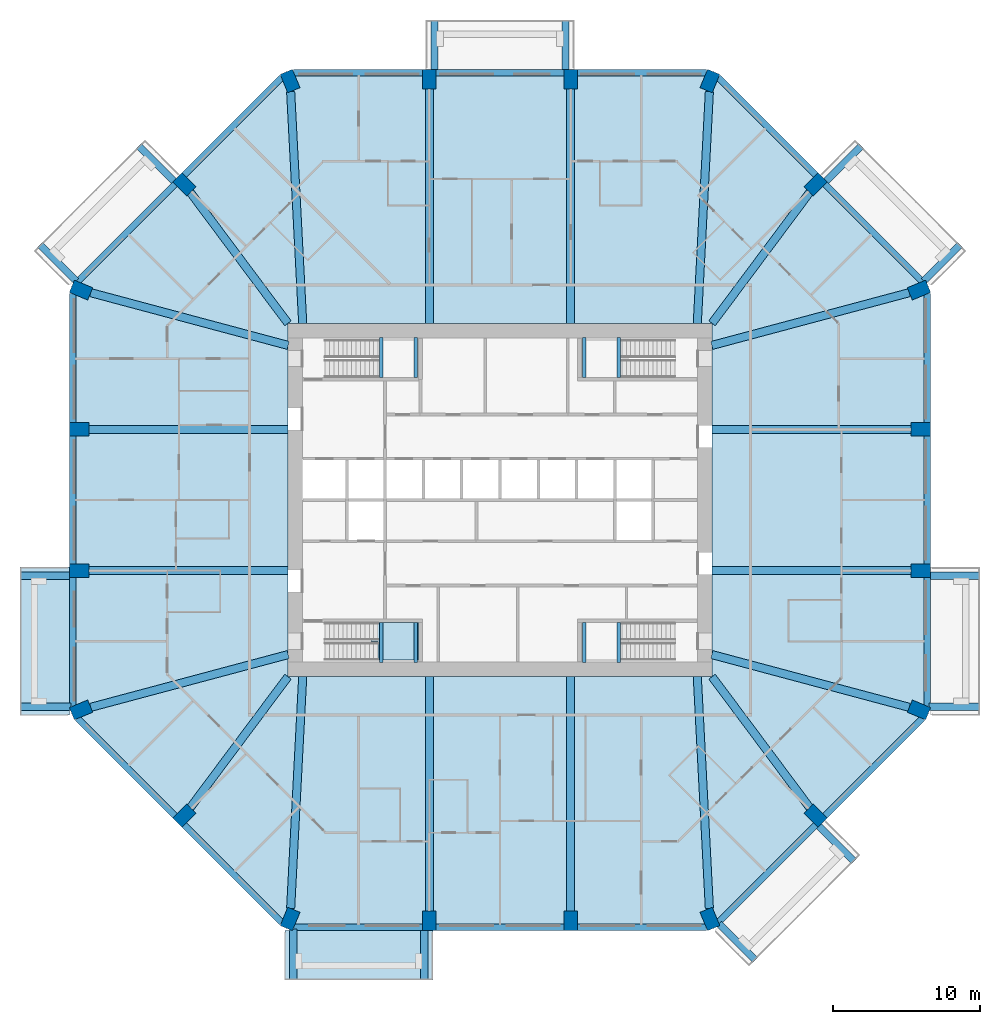
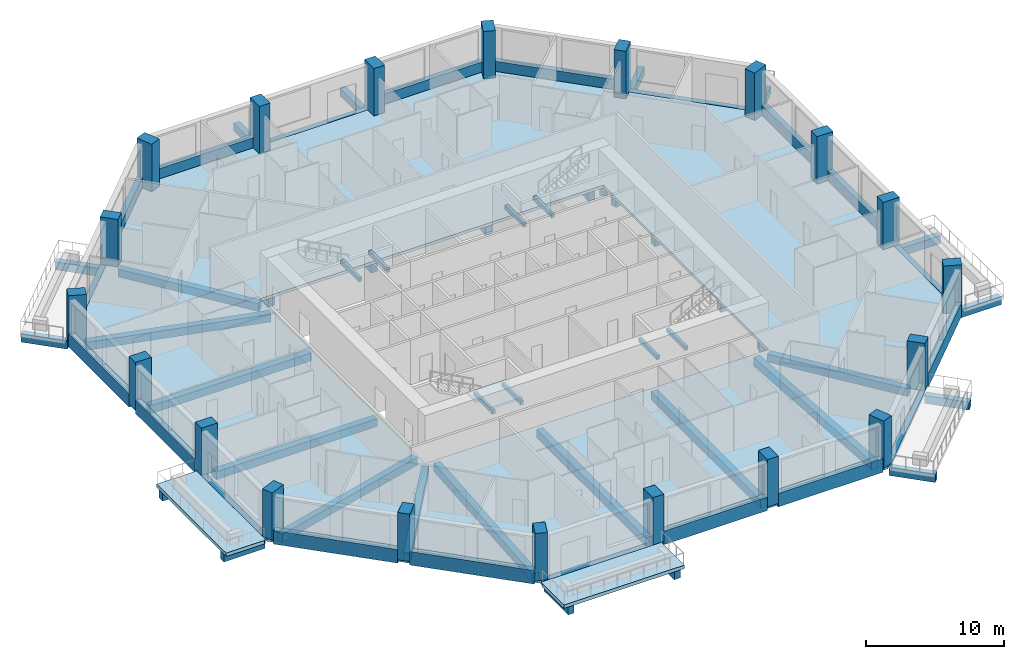
# One storey, part 1 of 13: 62 beams, 20 columns, 4 slabs, 1 element without a shape of its own.
"""IFC4 building model written with IfcOpenShell, lengths in metres."""

import ifcopenshell
import ifcopenshell.guid

model = None  # the IFC model being written
_history = None  # IfcOwnerHistory: only IFC2X3 demands one
_inside = {}  # id of a spatial element -> (the spatial element, [elements in it])
_under = {}  # id of a project, library or spatial element -> (it, [spatial elements below it])
_declared = {}  # id of a project -> (the project, [libraries it declares])
_typed = {}  # id of a type object -> (the type object, [elements of that type])
_made_of = {}  # id of a material, layer set ... -> (it, [elements and type objects made of it])


def new_model(schema):
    """Start an empty IFC model of exactly this schema.

    Asked for "IFC4X3", IfcOpenShell would pick the latest addendum, in which some entities
    have other attributes; the version numbers below select the first issue.
    IFC2X3 requires an IfcOwnerHistory on every rooted entity: one is made here for all.
    """
    global model, _history
    if schema == "IFC4X3":
        model = ifcopenshell.file(schema_version=(4, 3, 0, 0))
    else:
        model = ifcopenshell.file(schema=schema)
    _inside.clear()
    _under.clear()
    _declared.clear()
    _typed.clear()
    _made_of.clear()
    _history = None
    if model.schema == "IFC2X3":
        org = make("IfcOrganization", Name="unknown")
        user = make(
            "IfcPersonAndOrganization",
            ThePerson=make("IfcPerson", FamilyName="unknown"),
            TheOrganization=org,
        )
        app = make(
            "IfcApplication",
            ApplicationDeveloper=org,
            Version="unknown",
            ApplicationFullName="unknown",
            ApplicationIdentifier="unknown",
        )
        _history = make(
            "IfcOwnerHistory",
            OwningUser=user,
            OwningApplication=app,
            ChangeAction="ADDED",
            CreationDate=0,
        )
    return model


def make(cls, **values):
    """One entity of the class cls with the attributes given. An attribute that is None is left unset."""
    return model.create_entity(
        cls, **{name: value for name, value in values.items() if value is not None}
    )


def rooted(cls, **values):
    """An entity with a GlobalId (a new one), such as an element, a storey or a relation."""
    return make(cls, GlobalId=ifcopenshell.guid.new(), OwnerHistory=_history, **values)


def si_unit(unit_type, name, prefix=None):
    """IfcSIUnit, for example si_unit("LENGTHUNIT", "METRE", prefix="MILLI")."""
    return make("IfcSIUnit", UnitType=unit_type, Prefix=prefix, Name=name)


def assignment(units):
    """IfcUnitAssignment: the units of a project."""
    return None if units is None else make("IfcUnitAssignment", Units=units)


def point(xyz):
    """IfcCartesianPoint."""
    return None if xyz is None else make("IfcCartesianPoint", Coordinates=xyz)


def direction(xyz):
    """IfcDirection."""
    return None if xyz is None else make("IfcDirection", DirectionRatios=xyz)


def frame(location, z_axis=None, x_axis=None):
    """IfcAxis2Placement3D, a coordinate frame: its origin and axes. An axis left out is left unset."""
    return make(
        "IfcAxis2Placement3D",
        Location=point(location),
        Axis=direction(z_axis),
        RefDirection=direction(x_axis),
    )


def frame_2d(location, x_axis=None):
    """IfcAxis2Placement2D, a coordinate frame in the plane: its origin and x axis."""
    return make(
        "IfcAxis2Placement2D", Location=point(location), RefDirection=direction(x_axis)
    )


def origin():
    """The frame at (0, 0, 0) with its axes left unset."""
    return frame((0.0, 0.0, 0.0))


def origin_2d():
    """The frame at (0, 0) in the plane with its x axis left unset."""
    return frame_2d((0.0, 0.0))


def place(relative_to, where):
    """IfcLocalPlacement: puts the frame where relative to a parent placement (None: the world)."""
    return make(
        "IfcLocalPlacement", PlacementRelTo=relative_to, RelativePlacement=where
    )


def context(
    kind, dimensions, precision=None, world=None, true_north=None, identifier=None
):
    """IfcGeometricRepresentationContext, for example the 3D "Model" context."""
    return make(
        "IfcGeometricRepresentationContext",
        ContextIdentifier=identifier,
        ContextType=kind,
        CoordinateSpaceDimension=dimensions,
        Precision=precision,
        WorldCoordinateSystem=world,
        TrueNorth=true_north,
    )


def subcontext(parent, identifier, kind, view, scale=None):
    """IfcGeometricRepresentationSubContext, for example "Body" below "Model"."""
    return make(
        "IfcGeometricRepresentationSubContext",
        ContextIdentifier=identifier,
        ContextType=kind,
        ParentContext=parent,
        TargetScale=scale,
        TargetView=view,
    )


def project(units=None, contexts=None):
    """IfcProject with its units and contexts."""
    return rooted(
        "IfcProject",
        Name="project",
        RepresentationContexts=contexts,
        UnitsInContext=assignment(units),
    )


def spatial(cls, under=None, at=None, **own):
    """A site, building, storey or space (cls), placed at a placement, below another one or the project."""
    s = rooted(cls, ObjectPlacement=at, **own)
    if under is not None:
        _under.setdefault(under.id(), (under, []))[1].append(s)
    return s


def polyline(points):
    """IfcPolyline through the points."""
    return make("IfcPolyline", Points=[point(p) for p in points])


def profile(cls, at=None, kind="AREA", **sizes):
    """A parametric profile (cls). Its sizes go by their IFC names, for example OverallWidth=200.0."""
    return make(cls, ProfileType=kind, Position=at, **sizes)


def rectangle(**sizes):
    """IfcRectangleProfileDef."""
    return profile("IfcRectangleProfileDef", **sizes)


def outline(outer, holes=None, kind="AREA"):
    """IfcArbitraryClosedProfileDef: a profile drawn as a closed curve; with holes, ...WithVoids."""
    if holes is None:
        return make("IfcArbitraryClosedProfileDef", ProfileType=kind, OuterCurve=outer)
    return make(
        "IfcArbitraryProfileDefWithVoids",
        ProfileType=kind,
        OuterCurve=outer,
        InnerCurves=holes,
    )


def extrude(swept, where, along, depth):
    """IfcExtrudedAreaSolid: the profile swept, set in the frame where, extruded along a direction by depth."""
    return make(
        "IfcExtrudedAreaSolid",
        SweptArea=swept,
        Position=where,
        ExtrudedDirection=direction(along),
        Depth=depth,
    )


def shape(context_of_items, identifier, shape_type, items):
    """IfcShapeRepresentation: the items that make up one representation, for example the "Body"."""
    return make(
        "IfcShapeRepresentation",
        ContextOfItems=context_of_items,
        RepresentationIdentifier=identifier,
        RepresentationType=shape_type,
        Items=items,
    )


def material(Name=None, Category=None):
    """IfcMaterial."""
    return make("IfcMaterial", Name=Name, Category=Category)


def layer(
    of_material, thickness, ventilated=None, Name=None, Category=None, Priority=None
):
    """IfcMaterialLayer: one layer of a wall or slab, of a material (None: an air gap)."""
    return make(
        "IfcMaterialLayer",
        Material=of_material,
        LayerThickness=thickness,
        IsVentilated=ventilated,
        Name=Name,
        Category=Category,
        Priority=Priority,
    )


def layer_set(layers, Name=None):
    """IfcMaterialLayerSet."""
    return make("IfcMaterialLayerSet", MaterialLayers=layers, LayerSetName=Name)


def material_profile(
    of_material, cross_section, Name=None, Category=None, Priority=None
):
    """IfcMaterialProfile: a cross section and its material."""
    return make(
        "IfcMaterialProfile",
        Name=Name,
        Material=of_material,
        Profile=cross_section,
        Priority=Priority,
        Category=Category,
    )


def profile_set(profiles, Name=None, composite=None):
    """IfcMaterialProfileSet."""
    return make(
        "IfcMaterialProfileSet",
        Name=Name,
        MaterialProfiles=profiles,
        CompositeProfile=composite,
    )


def made_of(thing, what):
    """Note that an element or type object is made of a material, layer set ...; save() writes the relation."""
    if what is not None:
        _made_of.setdefault(what.id(), (what, []))[1].append(thing)
    return thing


def type_object(cls, material=None, **own):
    """A type object (cls), such as IfcWallType, which elements share."""
    return made_of(rooted(cls, **own), material)


def element(
    cls,
    number,
    at=None,
    inside=None,
    cuts=None,
    type_object=None,
    material=None,
    context=None,
    identifier="Body",
    shape_type=None,
    held_by="IfcProductDefinitionShape",
    body=None,
    shapes=None,
    **own,
):
    """One element of the class cls, such as IfcWall. Its Tag is "e" and its number.

    at: its placement. inside: the storey or other place that contains it. cuts: it is an
    opening in that element (IfcRelVoidsElement). A single representation is given by context,
    identifier, shape_type and body (its items); several are given by shapes. held_by: the class
    of the entity that holds the representations. save() writes the other relations.
    """
    e = rooted(cls, Tag="e%d" % number, ObjectPlacement=at, **own)
    if body is not None:
        shapes = [shape(context, identifier, shape_type, body)]
    if shapes is not None:
        e.Representation = make(held_by, Representations=shapes)
    if inside is not None:
        _inside.setdefault(inside.id(), (inside, []))[1].append(e)
    if cuts is not None:
        rooted(
            "IfcRelVoidsElement", RelatingBuildingElement=cuts, RelatedOpeningElement=e
        )
    if type_object is not None:
        _typed.setdefault(type_object.id(), (type_object, []))[1].append(e)
    return made_of(e, material)


def aggregate(whole, parts):
    """IfcRelAggregates: a whole, such as a stair, and the parts it consists of."""
    return rooted("IfcRelAggregates", RelatingObject=whole, RelatedObjects=parts)


def save(model, path):
    """Write the relations noted so far, then the file.

    IfcRelAggregates (storeys below a building ...), IfcRelContainedInSpatialStructure (elements
    in a storey), IfcRelDefinesByType, IfcRelAssociatesMaterial and IfcRelDeclares: one each for
    every whole, place, type object, material and project.
    """
    for whole, parts in _under.values():
        aggregate(whole, parts)
    for where, things in _inside.values():
        rooted(
            "IfcRelContainedInSpatialStructure",
            RelatedElements=things,
            RelatingStructure=where,
        )
    for kind, things in _typed.values():
        rooted("IfcRelDefinesByType", RelatedObjects=things, RelatingType=kind)
    for what, things in _made_of.values():
        rooted("IfcRelAssociatesMaterial", RelatedObjects=things, RelatingMaterial=what)
    for by, libraries in _declared.values():
        rooted("IfcRelDeclares", RelatingContext=by, RelatedDefinitions=libraries)
    model.write(path)


model = new_model("IFC4")

# Units and contexts
model_context = context("Model", 3, precision=1e-05, world=origin(), true_north=direction((0.0, 1.0)))
body_context = subcontext(model_context, "Body", "Model", "MODEL_VIEW")
ifc_project = project(units=[si_unit("LENGTHUNIT", "METRE"), si_unit("AREAUNIT", "SQUARE_METRE"), si_unit("VOLUMEUNIT", "CUBIC_METRE"), si_unit("PLANEANGLEUNIT", "RADIAN"), si_unit("MASSUNIT", "GRAM", prefix="KILO")], contexts=[model_context])

# Site, building, storey
site_placement = place(None, origin())
site = spatial("IfcSite", under=ifc_project, at=site_placement, CompositionType="ELEMENT")
building_placement = place(site_placement, origin())
building = spatial("IfcBuilding", under=site, at=building_placement, Name="Msitu Wima Residences", CompositionType="ELEMENT")
storey_placement = place(building_placement, frame((0.0, 0.0, 88.5)))
storey = spatial("IfcBuildingStorey", under=building, at=storey_placement, Name="L20", CompositionType="ELEMENT", Elevation=88.5)

# Columns
ifc_material_1 = material(Name="Concrete C80/95", Category="concrete")
ifc_material_profile_1 = material_profile(ifc_material_1, rectangle(XDim=0.89990234375, YDim=1.35009765625, at=origin_2d()), Name="RC 900x1350")
ifc_profile_set_1 = profile_set([ifc_material_profile_1], Name="Concrete C80/95")
column_type = type_object("IfcColumnType", Name="Column RC 900x1350 Concrete C80/95", PredefinedType="COLUMN", material=ifc_profile_set_1)
for number, where, z_axis, x_axis, name in (
    (1, (28.4541015625, -14.2568359375, 0.0), (0.0, 0.0, 1.0), (0.382683496864, 0.923879505795, 0.0), "Column L20 C-E0"),
    (2, (28.574951171875, -4.800048828125, 0.0), (0.0, 0.0, 1.0), (0.0, 1.0, 0.0), "Column L20 C-E1"),
    (3, (28.574951171875, 4.800048828125, 0.0), (0.0, 0.0, 1.0), (0.0, 1.0, 0.0), "Column L20 C-E2"),
    (4, (28.4541015625, 14.2568359375, 0.0), (0.0, 0.0, 1.0), (-0.382683496864, 0.923879505795, 0.0), "Column L20 C-NE0"),
    (5, (21.44091796875, 21.44091796875, 0.0), (0.0, 0.0, 1.0), (-0.707106781187, 0.707106781187, 0.0), "Column L20 C-NE1"),
    (6, (14.2568359375, 28.4541015625, 0.0), (0.0, 0.0, 1.0), (-0.923879505795, 0.382683496864, 0.0), "Column L20 C-N0"),
    (7, (4.800048828125, 28.574951171875, 0.0), (0.0, 0.0, 1.0), (-1.0, 0.0, 0.0), "Column L20 C-N1"),
    (8, (-4.800048828125, 28.574951171875, 0.0), (0.0, 0.0, 1.0), (-1.0, 0.0, 0.0), "Column L20 C-N2"),
    (9, (-14.2568359375, 28.4541015625, 0.0), (0.0, 0.0, 1.0), (-0.923879505795, -0.382683496864, 0.0), "Column L20 C-NW0"),
    (10, (-21.44091796875, 21.44091796875, 0.0), (0.0, 0.0, 1.0), (-0.707106781187, -0.707106781187, 0.0), "Column L20 C-NW1"),
    (11, (-28.4541015625, 14.2568359375, 0.0), (0.0, 0.0, 1.0), (-0.382683496864, -0.923879505795, 0.0), "Column L20 C-W0"),
    (12, (-28.574951171875, 4.800048828125, 0.0), (0.0, 0.0, 1.0), (0.0, -1.0, 0.0), "Column L20 C-W1"),
    (13, (-28.574951171875, -4.800048828125, 0.0), (0.0, 0.0, 1.0), (0.0, -1.0, 0.0), "Column L20 C-W2"),
    (14, (-28.4541015625, -14.2568359375, 0.0), (0.0, 0.0, 1.0), (0.382683496864, -0.923879505795, 0.0), "Column L20 C-SW0"),
    (15, (-21.44091796875, -21.44091796875, 0.0), (0.0, 0.0, 1.0), (0.707106781187, -0.707106781187, 0.0), "Column L20 C-SW1"),
    (16, (-14.2568359375, -28.4541015625, 0.0), (0.0, 0.0, 1.0), (0.923879505795, -0.382683496864, 0.0), "Column L20 C-S0"),
    (17, (-4.800048828125, -28.574951171875, 0.0), (0.0, 0.0, 1.0), (1.0, 0.0, 0.0), "Column L20 C-S1"),
    (18, (4.800048828125, -28.574951171875, 0.0), (0.0, 0.0, 1.0), (1.0, 0.0, 0.0), "Column L20 C-S2"),
    (19, (14.2568359375, -28.4541015625, 0.0), (0.0, 0.0, 1.0), (0.923879505795, 0.382683496864, 0.0), "Column L20 C-SE0"),
    (20, (21.44091796875, -21.44091796875, 0.0), (0.0, 0.0, 1.0), (0.707106781187, 0.707106781187, 0.0), "Column L20 C-SE1"),
):
    element("IfcColumn", number, at=place(storey_placement, frame(where, z_axis=z_axis, x_axis=x_axis)), inside=storey, type_object=column_type, Name=name, PredefinedType="COLUMN", context=body_context, shape_type="SweptSolid", body=[
        extrude(rectangle(XDim=0.89990234375, YDim=1.35009765625, at=origin_2d()), origin(), (0.0, 0.0, 1.0), 4.199951171875),
    ])

# Beams
ifc_material_2 = material(Name="Concrete C50/60", Category="concrete")
ifc_material_profile_2 = material_profile(ifc_material_2, rectangle(XDim=0.550048828125, YDim=0.699951171875, at=origin_2d()), Name="RC 550x700")
ifc_profile_set_2 = profile_set([ifc_material_profile_2], Name="Concrete C50/60")
beam_type_1 = type_object("IfcBeamType", Name="Beam RC 550x700 Concrete C50/60", PredefinedType="BEAM", material=ifc_profile_set_2)
beam_1_placement = place(storey_placement, frame((27.79638671875, -14.080810546875, -0.60009765625), z_axis=(-0.966081778408, 0.258236320891, 0.0), x_axis=(-0.258236320891, -0.966081778408, 0.0)))
element("IfcBeam", 21, at=beam_1_placement, inside=storey, type_object=beam_type_1, Name="Beam L20 C-E0", PredefinedType="BEAM", context=body_context, shape_type="SweptSolid", body=[
    extrude(rectangle(XDim=0.550048828125, YDim=0.699951171875, at=origin_2d()), origin(), (0.0, 0.0, 1.0), 13.878662109375),
])
for number, where, z_axis, x_axis, name in (
    (22, (27.89990234375, -4.800048828125, -0.60009765625), (-1.0, 0.0, 0.0), (0.0, -1.0, 0.0), "Beam L20 C-E1"),
    (23, (27.89990234375, 4.800048828125, -0.60009765625), (-1.0, 0.0, 0.0), (0.0, -1.0, 0.0), "Beam L20 C-E2"),
):
    element("IfcBeam", number, at=place(storey_placement, frame(where, z_axis=z_axis, x_axis=x_axis)), inside=storey, type_object=beam_type_1, Name=name, PredefinedType="BEAM", context=body_context, shape_type="SweptSolid", body=[
        extrude(rectangle(XDim=0.550048828125, YDim=0.699951171875, at=origin_2d()), origin(), (0.0, 0.0, 1.0), 13.5),
    ])
beam_2_placement = place(storey_placement, frame((27.79638671875, 14.080810546875, -0.60009765625), z_axis=(-0.966081778408, -0.258236320891, 0.0), x_axis=(0.258236320891, -0.966081778408, 0.0)))
element("IfcBeam", 24, at=beam_2_placement, inside=storey, type_object=beam_type_1, Name="Beam L20 C-NE0", PredefinedType="BEAM", context=body_context, shape_type="SweptSolid", body=[
    extrude(rectangle(XDim=0.550048828125, YDim=0.699951171875, at=origin_2d()), origin(), (0.0, 0.0, 1.0), 13.878662109375),
])
for number, where, z_axis, x_axis, name in (
    (25, (21.033203125, 20.89404296875, -0.60009765625), (-0.597850242031, -0.801607814398, 0.0), (0.801607814398, -0.597850242031, 0.0), "Beam L20 C-NE1"),
    (26, (-21.033203125, 20.89404296875, -0.60009765625), (0.597850242031, -0.801607814398, 0.0), (0.801607814398, 0.597850242031, 0.0), "Beam L20 C-NW1"),
):
    element("IfcBeam", number, at=place(storey_placement, frame(where, z_axis=z_axis, x_axis=x_axis)), inside=storey, type_object=beam_type_1, Name=name, PredefinedType="BEAM", context=body_context, shape_type="SweptSolid", body=[
        extrude(rectangle(XDim=0.550048828125, YDim=0.699951171875, at=origin_2d()), origin(), (0.0, 0.0, 1.0), 11.09521484375),
    ])
beam_3_placement = place(storey_placement, frame((-27.79638671875, 14.080810546875, -0.60009765625), z_axis=(0.966081778408, -0.258236320891, 0.0), x_axis=(0.258236320891, 0.966081778408, 0.0)))
element("IfcBeam", 27, at=beam_3_placement, inside=storey, type_object=beam_type_1, Name="Beam L20 C-W0", PredefinedType="BEAM", context=body_context, shape_type="SweptSolid", body=[
    extrude(rectangle(XDim=0.550048828125, YDim=0.699951171875, at=origin_2d()), origin(), (0.0, 0.0, 1.0), 13.878662109375),
])
for number, where, z_axis, x_axis, name in (
    (28, (-27.89990234375, 4.800048828125, -0.60009765625), (1.0, 0.0, 0.0), (0.0, 1.0, 0.0), "Beam L20 C-W1"),
    (29, (-27.89990234375, -4.800048828125, -0.60009765625), (1.0, 0.0, 0.0), (0.0, 1.0, 0.0), "Beam L20 C-W2"),
):
    element("IfcBeam", number, at=place(storey_placement, frame(where, z_axis=z_axis, x_axis=x_axis)), inside=storey, type_object=beam_type_1, Name=name, PredefinedType="BEAM", context=body_context, shape_type="SweptSolid", body=[
        extrude(rectangle(XDim=0.550048828125, YDim=0.699951171875, at=origin_2d()), origin(), (0.0, 0.0, 1.0), 13.5),
    ])
beam_4_placement = place(storey_placement, frame((-27.79638671875, -14.080810546875, -0.60009765625), z_axis=(0.966081778408, 0.258236320891, 0.0), x_axis=(-0.258236320891, 0.966081778408, 0.0)))
element("IfcBeam", 30, at=beam_4_placement, inside=storey, type_object=beam_type_1, Name="Beam L20 C-SW0", PredefinedType="BEAM", context=body_context, shape_type="SweptSolid", body=[
    extrude(rectangle(XDim=0.550048828125, YDim=0.699951171875, at=origin_2d()), origin(), (0.0, 0.0, 1.0), 13.878662109375),
])
for number, where, z_axis, x_axis, name in (
    (31, (-21.033203125, -20.89404296875, -0.60009765625), (0.597850242031, 0.801607814398, 0.0), (-0.801607814398, 0.597850242031, 0.0), "Beam L20 C-SW1"),
    (32, (21.033203125, -20.89404296875, -0.60009765625), (-0.597850242031, 0.801607814398, 0.0), (-0.801607814398, -0.597850242031, 0.0), "Beam L20 C-SE1"),
):
    element("IfcBeam", number, at=place(storey_placement, frame(where, z_axis=z_axis, x_axis=x_axis)), inside=storey, type_object=beam_type_1, Name=name, PredefinedType="BEAM", context=body_context, shape_type="SweptSolid", body=[
        extrude(rectangle(XDim=0.550048828125, YDim=0.699951171875, at=origin_2d()), origin(), (0.0, 0.0, 1.0), 11.09521484375),
    ])
ifc_material_profile_3 = material_profile(ifc_material_2, rectangle(XDim=0.550048828125, YDim=0.75, at=origin_2d()), Name="RC 550x750")
ifc_profile_set_3 = profile_set([ifc_material_profile_3], Name="Concrete C50/60")
beam_type_2 = type_object("IfcBeamType", Name="Beam RC 550x750 Concrete C50/60", PredefinedType="BEAM", material=ifc_profile_set_3)
beam_5_placement = place(storey_placement, frame((14.219482421875, 27.739013671875, -0.625), z_axis=(-0.05199418091, -0.998647387796, 0.0), x_axis=(0.998647387796, -0.05199418091, 0.0)))
element("IfcBeam", 33, at=beam_5_placement, inside=storey, type_object=beam_type_2, Name="Beam L20 C-N0", PredefinedType="BEAM", context=body_context, shape_type="SweptSolid", body=[
    extrude(rectangle(XDim=0.550048828125, YDim=0.75, at=origin_2d()), origin(), (0.0, 0.0, 1.0), 15.772216796875),
])
for number, where, z_axis, x_axis, name in (
    (34, (4.800048828125, 27.89990234375, -0.625), (0.0, -1.0, 0.0), (1.0, 0.0, 0.0), "Beam L20 C-N1"),
    (35, (-4.800048828125, 27.89990234375, -0.625), (0.0, -1.0, 0.0), (1.0, 0.0, 0.0), "Beam L20 C-N2"),
):
    element("IfcBeam", number, at=place(storey_placement, frame(where, z_axis=z_axis, x_axis=x_axis)), inside=storey, type_object=beam_type_2, Name=name, PredefinedType="BEAM", context=body_context, shape_type="SweptSolid", body=[
        extrude(rectangle(XDim=0.550048828125, YDim=0.75, at=origin_2d()), origin(), (0.0, 0.0, 1.0), 15.89990234375),
    ])
for number, where, z_axis, x_axis, name in (
    (36, (-14.219482421875, 27.739013671875, -0.625), (0.05199418091, -0.998647387796, 0.0), (0.998647387796, 0.05199418091, 0.0), "Beam L20 C-NW0"),
    (37, (-14.219482421875, -27.739013671875, -0.625), (0.05199418091, 0.998647387796, 0.0), (-0.998647387796, 0.05199418091, 0.0), "Beam L20 C-S0"),
):
    element("IfcBeam", number, at=place(storey_placement, frame(where, z_axis=z_axis, x_axis=x_axis)), inside=storey, type_object=beam_type_2, Name=name, PredefinedType="BEAM", context=body_context, shape_type="SweptSolid", body=[
        extrude(rectangle(XDim=0.550048828125, YDim=0.75, at=origin_2d()), origin(), (0.0, 0.0, 1.0), 15.772216796875),
    ])
for number, where, z_axis, x_axis, name in (
    (38, (-4.800048828125, -27.89990234375, -0.625), (0.0, 1.0, 0.0), (-1.0, 0.0, 0.0), "Beam L20 C-S1"),
    (39, (4.800048828125, -27.89990234375, -0.625), (0.0, 1.0, 0.0), (-1.0, 0.0, 0.0), "Beam L20 C-S2"),
):
    element("IfcBeam", number, at=place(storey_placement, frame(where, z_axis=z_axis, x_axis=x_axis)), inside=storey, type_object=beam_type_2, Name=name, PredefinedType="BEAM", context=body_context, shape_type="SweptSolid", body=[
        extrude(rectangle(XDim=0.550048828125, YDim=0.75, at=origin_2d()), origin(), (0.0, 0.0, 1.0), 15.89990234375),
    ])
beam_6_placement = place(storey_placement, frame((14.219482421875, -27.739013671875, -0.625), z_axis=(-0.05199418091, 0.998647387796, 0.0), x_axis=(-0.998647387796, -0.05199418091, 0.0)))
element("IfcBeam", 40, at=beam_6_placement, inside=storey, type_object=beam_type_2, Name="Beam L20 C-SE0", PredefinedType="BEAM", context=body_context, shape_type="SweptSolid", body=[
    extrude(rectangle(XDim=0.550048828125, YDim=0.75, at=origin_2d()), origin(), (0.0, 0.0, 1.0), 15.772216796875),
])
ifc_material_profile_4 = material_profile(ifc_material_2, rectangle(XDim=0.5, YDim=0.699951171875, at=origin_2d()), Name="RC 500x700")
ifc_profile_set_4 = profile_set([ifc_material_profile_4], Name="Concrete C50/60")
beam_type_3 = type_object("IfcBeamType", Name="Cantilever beam RC 500x700 Concrete C50/60", PredefinedType="BEAM", material=ifc_profile_set_4)
beam_7_placement = place(storey_placement, frame((29.130859375, -14.050048828125, -0.64990234375), z_axis=(1.0, 0.0, 0.0), x_axis=(0.0, 1.0, 0.0)))
element("IfcBeam", 41, at=beam_7_placement, inside=storey, type_object=beam_type_3, Name="Cantilever beam L20 BA-E0 A", PredefinedType="BEAM", context=body_context, shape_type="SweptSolid", body=[
    extrude(rectangle(XDim=0.5, YDim=0.699951171875, at=origin_2d()), origin(), (0.0, 0.0, 1.0), 3.46923828125),
])
beam_8_placement = place(storey_placement, frame((29.25, -5.14990234375, -0.64990234375), z_axis=(1.0, 0.0, 0.0), x_axis=(0.0, 1.0, 0.0)))
element("IfcBeam", 42, at=beam_8_placement, inside=storey, type_object=beam_type_3, Name="Cantilever beam L20 BA-E0 B", PredefinedType="BEAM", context=body_context, shape_type="SweptSolid", body=[
    extrude(rectangle(XDim=0.5, YDim=0.699951171875, at=origin_2d()), origin(), (0.0, 0.0, 1.0), 3.35009765625),
])
beam_9_placement = place(storey_placement, frame((28.78662109375, 14.881591796875, -0.64990234375), z_axis=(0.707106781187, 0.707106781187, 0.0), x_axis=(-0.707106781187, 0.707106781187, 0.0)))
element("IfcBeam", 43, at=beam_9_placement, inside=storey, type_object=beam_type_3, Name="Cantilever beam L20 BA-NE0 A", PredefinedType="BEAM", context=body_context, shape_type="SweptSolid", body=[
    extrude(rectangle(XDim=0.5, YDim=0.699951171875, at=origin_2d()), origin(), (0.0, 0.0, 1.0), 3.468994140625),
])
beam_10_placement = place(storey_placement, frame((22.165771484375, 21.670654296875, -0.64990234375), z_axis=(0.707070340836, 0.707143219659, 0.0), x_axis=(-0.707143219659, 0.707070340836, 0.0)))
element("IfcBeam", 44, at=beam_10_placement, inside=storey, type_object=beam_type_3, Name="Cantilever beam L20 BA-NE0 B", PredefinedType="BEAM", context=body_context, shape_type="SweptSolid", body=[
    extrude(rectangle(XDim=0.5, YDim=0.699951171875, at=origin_2d()), origin(), (0.0, 0.0, 1.0), 3.349853515625),
])
for number, where, z_axis, x_axis, name in (
    (45, (4.449951171875, 29.25, -0.64990234375), (0.0, 1.0, 0.0), (-1.0, 0.0, 0.0), "Cantilever beam L20 BA-N1 A"),
    (46, (-4.449951171875, 29.25, -0.64990234375), (0.0, 1.0, 0.0), (-1.0, 0.0, 0.0), "Cantilever beam L20 BA-N1 B"),
):
    element("IfcBeam", number, at=place(storey_placement, frame(where, z_axis=z_axis, x_axis=x_axis)), inside=storey, type_object=beam_type_3, Name=name, PredefinedType="BEAM", context=body_context, shape_type="SweptSolid", body=[
        extrude(rectangle(XDim=0.5, YDim=0.699951171875, at=origin_2d()), origin(), (0.0, 0.0, 1.0), 3.35009765625),
    ])
beam_11_placement = place(storey_placement, frame((-22.165771484375, 21.670654296875, -0.64990234375), z_axis=(-0.707070340836, 0.707143219659, 0.0), x_axis=(-0.707143219659, -0.707070340836, 0.0)))
element("IfcBeam", 47, at=beam_11_placement, inside=storey, type_object=beam_type_3, Name="Cantilever beam L20 BA-NW1 A", PredefinedType="BEAM", context=body_context, shape_type="SweptSolid", body=[
    extrude(rectangle(XDim=0.5, YDim=0.699951171875, at=origin_2d()), origin(), (0.0, 0.0, 1.0), 3.349853515625),
])
beam_12_placement = place(storey_placement, frame((-28.78662109375, 14.881591796875, -0.64990234375), z_axis=(-0.707106781187, 0.707106781187, 0.0), x_axis=(-0.707106781187, -0.707106781187, 0.0)))
element("IfcBeam", 48, at=beam_12_placement, inside=storey, type_object=beam_type_3, Name="Cantilever beam L20 BA-NW1 B", PredefinedType="BEAM", context=body_context, shape_type="SweptSolid", body=[
    extrude(rectangle(XDim=0.5, YDim=0.699951171875, at=origin_2d()), origin(), (0.0, 0.0, 1.0), 3.468994140625),
])
beam_13_placement = place(storey_placement, frame((-29.25, -5.14990234375, -0.64990234375), z_axis=(-1.0, 0.0, 0.0), x_axis=(0.0, -1.0, 0.0)))
element("IfcBeam", 49, at=beam_13_placement, inside=storey, type_object=beam_type_3, Name="Cantilever beam L20 BA-W2 A", PredefinedType="BEAM", context=body_context, shape_type="SweptSolid", body=[
    extrude(rectangle(XDim=0.5, YDim=0.699951171875, at=origin_2d()), origin(), (0.0, 0.0, 1.0), 3.35009765625),
])
for number, where, z_axis, x_axis, name in (
    (50, (-29.130859375, -14.050048828125, -0.64990234375), (-1.0, 0.0, 0.0), (0.0, -1.0, 0.0), "Cantilever beam L20 BA-W2 B"),
    (51, (-14.050048828125, -29.130859375, -0.64990234375), (0.0, -1.0, 0.0), (1.0, 0.0, 0.0), "Cantilever beam L20 BA-S0 A"),
):
    element("IfcBeam", number, at=place(storey_placement, frame(where, z_axis=z_axis, x_axis=x_axis)), inside=storey, type_object=beam_type_3, Name=name, PredefinedType="BEAM", context=body_context, shape_type="SweptSolid", body=[
        extrude(rectangle(XDim=0.5, YDim=0.699951171875, at=origin_2d()), origin(), (0.0, 0.0, 1.0), 3.46923828125),
    ])
beam_14_placement = place(storey_placement, frame((-5.14990234375, -29.25, -0.64990234375), z_axis=(0.0, -1.0, 0.0), x_axis=(1.0, 0.0, 0.0)))
element("IfcBeam", 52, at=beam_14_placement, inside=storey, type_object=beam_type_3, Name="Cantilever beam L20 BA-S0 B", PredefinedType="BEAM", context=body_context, shape_type="SweptSolid", body=[
    extrude(rectangle(XDim=0.5, YDim=0.699951171875, at=origin_2d()), origin(), (0.0, 0.0, 1.0), 3.35009765625),
])
beam_15_placement = place(storey_placement, frame((14.881591796875, -28.78662109375, -0.64990234375), z_axis=(0.707106781187, -0.707106781187, 0.0), x_axis=(0.707106781187, 0.707106781187, 0.0)))
element("IfcBeam", 53, at=beam_15_placement, inside=storey, type_object=beam_type_3, Name="Cantilever beam L20 BA-SE0 A", PredefinedType="BEAM", context=body_context, shape_type="SweptSolid", body=[
    extrude(rectangle(XDim=0.5, YDim=0.699951171875, at=origin_2d()), origin(), (0.0, 0.0, 1.0), 3.468994140625),
])
beam_16_placement = place(storey_placement, frame((21.670654296875, -22.165771484375, -0.64990234375), z_axis=(0.707143219659, -0.707070340836, 0.0), x_axis=(0.707070340836, 0.707143219659, 0.0)))
element("IfcBeam", 54, at=beam_16_placement, inside=storey, type_object=beam_type_3, Name="Cantilever beam L20 BA-SE0 B", PredefinedType="BEAM", context=body_context, shape_type="SweptSolid", body=[
    extrude(rectangle(XDim=0.5, YDim=0.699951171875, at=origin_2d()), origin(), (0.0, 0.0, 1.0), 3.349853515625),
])
ifc_material_profile_5 = material_profile(ifc_material_2, rectangle(XDim=0.449951171875, YDim=0.300048828125, at=origin_2d()), Name="RC 450x300")
ifc_profile_set_5 = profile_set([ifc_material_profile_5], Name="Concrete C50/60")
beam_type_4 = type_object("IfcBeamType", Name="Edge beam RC 450x300 Concrete C50/60", PredefinedType="SPANDREL", material=ifc_profile_set_5)
beam_17_placement = place(storey_placement, frame((29.02490234375, -14.01806640625, -0.14990234375), z_axis=(0.0, 1.0, 0.0), x_axis=(-1.0, 0.0, 0.0)))
element("IfcBeam", 55, at=beam_17_placement, inside=storey, type_object=beam_type_4, Name="Spandrel L20 E0", PredefinedType="SPANDREL", context=body_context, shape_type="SweptSolid", body=[
    extrude(rectangle(XDim=0.449951171875, YDim=0.300048828125, at=origin_2d()), origin(), (0.0, 0.0, 1.0), 8.76806640625),
])
beam_18_placement = place(storey_placement, frame((28.68896484375, 14.8291015625, -0.14990234375), z_axis=(-0.707093725903, 0.707119836229, 0.0), x_axis=(-0.707119836229, -0.707093725903, 0.0)))
element("IfcBeam", 56, at=beam_18_placement, inside=storey, type_object=beam_type_4, Name="Spandrel L20 NE0", PredefinedType="SPANDREL", context=body_context, shape_type="SweptSolid", body=[
    extrude(rectangle(XDim=0.449951171875, YDim=0.300048828125, at=origin_2d()), origin(), (0.0, 0.0, 1.0), 9.350341796875),
])
beam_19_placement = place(storey_placement, frame((4.35009765625, 29.02490234375, -0.14990234375), z_axis=(-1.0, 0.0, 0.0), x_axis=(0.0, -1.0, 0.0)))
element("IfcBeam", 57, at=beam_19_placement, inside=storey, type_object=beam_type_4, Name="Spandrel L20 N1", PredefinedType="SPANDREL", context=body_context, shape_type="SweptSolid", body=[
    extrude(rectangle(XDim=0.449951171875, YDim=0.300048828125, at=origin_2d()), origin(), (0.0, 0.0, 1.0), 8.7001953125),
])
beam_20_placement = place(storey_placement, frame((-22.077392578125, 21.44091796875, -0.14990234375), z_axis=(-0.707093725903, -0.707119836229, 0.0), x_axis=(0.707119836229, -0.707093725903, 0.0)))
element("IfcBeam", 58, at=beam_20_placement, inside=storey, type_object=beam_type_4, Name="Spandrel L20 NW1", PredefinedType="SPANDREL", context=body_context, shape_type="SweptSolid", body=[
    extrude(rectangle(XDim=0.449951171875, YDim=0.300048828125, at=origin_2d()), origin(), (0.0, 0.0, 1.0), 9.350341796875),
])
for number, where, z_axis, x_axis, name in (
    (59, (-29.02490234375, -5.25, -0.14990234375), (0.0, -1.0, 0.0), (1.0, 0.0, 0.0), "Spandrel L20 W2"),
    (60, (-14.01806640625, -29.02490234375, -0.14990234375), (1.0, 0.0, 0.0), (0.0, 1.0, 0.0), "Spandrel L20 S0"),
):
    element("IfcBeam", number, at=place(storey_placement, frame(where, z_axis=z_axis, x_axis=x_axis)), inside=storey, type_object=beam_type_4, Name=name, PredefinedType="SPANDREL", context=body_context, shape_type="SweptSolid", body=[
        extrude(rectangle(XDim=0.449951171875, YDim=0.300048828125, at=origin_2d()), origin(), (0.0, 0.0, 1.0), 8.76806640625),
    ])
beam_21_placement = place(storey_placement, frame((14.8291015625, -28.68896484375, -0.14990234375), z_axis=(0.707119836229, 0.707093725903, 0.0), x_axis=(-0.707093725903, 0.707119836229, 0.0)))
element("IfcBeam", 61, at=beam_21_placement, inside=storey, type_object=beam_type_4, Name="Spandrel L20 SE0", PredefinedType="SPANDREL", context=body_context, shape_type="SweptSolid", body=[
    extrude(rectangle(XDim=0.449951171875, YDim=0.300048828125, at=origin_2d()), origin(), (0.0, 0.0, 1.0), 9.350341796875),
])
ifc_material_3 = material(Name="Concrete C40/50", Category="concrete")
ifc_material_profile_6 = material_profile(ifc_material_3, rectangle(XDim=0.25, YDim=0.35009765625, at=origin_2d()), Name="RC 250x350")
ifc_profile_set_6 = profile_set([ifc_material_profile_6], Name="Concrete C40/50")
beam_type_5 = type_object("IfcBeamType", Name="Landing beam RC 250x350", PredefinedType="BEAM", material=ifc_profile_set_6)
for number, where, z_axis, x_axis, name in (
    (62, (-8.074951171875, 8.324951171875, 1.72509765625), (0.0, 1.0, 0.0), (-1.0, 0.0, 0.0), "Stair 1 landing beam"),
    (63, (-5.72509765625, 8.324951171875, 1.72509765625), (0.0, 1.0, 0.0), (-1.0, 0.0, 0.0), "Stair 1 landing beam"),
    (64, (-8.074951171875, -11.02490234375, 1.72509765625), (0.0, 1.0, 0.0), (-1.0, 0.0, 0.0), "Stair 2 landing beam"),
    (65, (-5.72509765625, -11.02490234375, 1.72509765625), (0.0, 1.0, 0.0), (-1.0, 0.0, 0.0), "Stair 2 landing beam"),
    (66, (8.074951171875, 8.324951171875, 1.72509765625), (0.0, 1.0, 0.0), (-1.0, 0.0, 0.0), "Stair 3 landing beam"),
    (67, (5.72509765625, 8.324951171875, 1.72509765625), (0.0, 1.0, 0.0), (-1.0, 0.0, 0.0), "Stair 3 landing beam"),
    (68, (8.074951171875, -11.02490234375, 1.72509765625), (0.0, 1.0, 0.0), (-1.0, 0.0, 0.0), "Stair 4 landing beam"),
    (69, (5.72509765625, -11.02490234375, 1.72509765625), (0.0, 1.0, 0.0), (-1.0, 0.0, 0.0), "Stair 4 landing beam"),
):
    element("IfcBeam", number, at=place(storey_placement, frame(where, z_axis=z_axis, x_axis=x_axis)), inside=storey, type_object=beam_type_5, Name=name, PredefinedType="BEAM", context=body_context, shape_type="SweptSolid", body=[
        extrude(rectangle(XDim=0.25, YDim=0.35009765625, at=origin_2d()), origin(), (0.0, 0.0, 1.0), 2.699951171875),
    ])
ifc_material_profile_7 = material_profile(ifc_material_2, rectangle(XDim=0.449951171875, YDim=1.199951171875, at=origin_2d()), Name="RC 450x1200")
ifc_profile_set_7 = profile_set([ifc_material_profile_7], Name="Concrete C50/60")
beam_type_6 = type_object("IfcBeamType", Name="Spandrel RC 450x1200 Concrete C50/60", PredefinedType="SPANDREL", material=ifc_profile_set_7)
beam_22_placement = place(storey_placement, frame((29.02490234375, -4.35009765625, 0.300048828125), z_axis=(0.0, 1.0, 0.0), x_axis=(-1.0, 0.0, 0.0)))
element("IfcBeam", 70, at=beam_22_placement, inside=storey, type_object=beam_type_6, Name="Spandrel L20 E1", PredefinedType="SPANDREL", context=body_context, shape_type="SweptSolid", body=[
    extrude(rectangle(XDim=0.449951171875, YDim=1.199951171875, at=origin_2d()), origin(), (0.0, 0.0, 1.0), 8.7001953125),
])
beam_23_placement = place(storey_placement, frame((29.02490234375, 5.25, 0.300048828125), z_axis=(0.0, 1.0, 0.0), x_axis=(-1.0, 0.0, 0.0)))
element("IfcBeam", 71, at=beam_23_placement, inside=storey, type_object=beam_type_6, Name="Spandrel L20 E2", PredefinedType="SPANDREL", context=body_context, shape_type="SweptSolid", body=[
    extrude(rectangle(XDim=0.449951171875, YDim=1.199951171875, at=origin_2d()), origin(), (0.0, 0.0, 1.0), 8.76806640625),
])
beam_24_placement = place(storey_placement, frame((21.44091796875, 22.077392578125, 0.300048828125), z_axis=(-0.707119836229, 0.707093725903, 0.0), x_axis=(-0.707093725903, -0.707119836229, 0.0)))
element("IfcBeam", 72, at=beam_24_placement, inside=storey, type_object=beam_type_6, Name="Spandrel L20 NE1", PredefinedType="SPANDREL", context=body_context, shape_type="SweptSolid", body=[
    extrude(rectangle(XDim=0.449951171875, YDim=1.199951171875, at=origin_2d()), origin(), (0.0, 0.0, 1.0), 9.350341796875),
])
for number, where, z_axis, x_axis, name in (
    (73, (14.01806640625, 29.02490234375, 0.300048828125), (-1.0, 0.0, 0.0), (0.0, -1.0, 0.0), "Spandrel L20 N0"),
    (74, (-5.25, 29.02490234375, 0.300048828125), (-1.0, 0.0, 0.0), (0.0, -1.0, 0.0), "Spandrel L20 N2"),
):
    element("IfcBeam", number, at=place(storey_placement, frame(where, z_axis=z_axis, x_axis=x_axis)), inside=storey, type_object=beam_type_6, Name=name, PredefinedType="SPANDREL", context=body_context, shape_type="SweptSolid", body=[
        extrude(rectangle(XDim=0.449951171875, YDim=1.199951171875, at=origin_2d()), origin(), (0.0, 0.0, 1.0), 8.76806640625),
    ])
beam_25_placement = place(storey_placement, frame((-14.8291015625, 28.68896484375, 0.300048828125), z_axis=(-0.707119836229, -0.707093725903, 0.0), x_axis=(0.707093725903, -0.707119836229, 0.0)))
element("IfcBeam", 75, at=beam_25_placement, inside=storey, type_object=beam_type_6, Name="Spandrel L20 NW0", PredefinedType="SPANDREL", context=body_context, shape_type="SweptSolid", body=[
    extrude(rectangle(XDim=0.449951171875, YDim=1.199951171875, at=origin_2d()), origin(), (0.0, 0.0, 1.0), 9.350341796875),
])
beam_26_placement = place(storey_placement, frame((-29.02490234375, 14.01806640625, 0.300048828125), z_axis=(0.0, -1.0, 0.0), x_axis=(1.0, 0.0, 0.0)))
element("IfcBeam", 76, at=beam_26_placement, inside=storey, type_object=beam_type_6, Name="Spandrel L20 W0", PredefinedType="SPANDREL", context=body_context, shape_type="SweptSolid", body=[
    extrude(rectangle(XDim=0.449951171875, YDim=1.199951171875, at=origin_2d()), origin(), (0.0, 0.0, 1.0), 8.76806640625),
])
beam_27_placement = place(storey_placement, frame((-29.02490234375, 4.35009765625, 0.300048828125), z_axis=(0.0, -1.0, 0.0), x_axis=(1.0, 0.0, 0.0)))
element("IfcBeam", 77, at=beam_27_placement, inside=storey, type_object=beam_type_6, Name="Spandrel L20 W1", PredefinedType="SPANDREL", context=body_context, shape_type="SweptSolid", body=[
    extrude(rectangle(XDim=0.449951171875, YDim=1.199951171875, at=origin_2d()), origin(), (0.0, 0.0, 1.0), 8.7001953125),
])
for number, where, z_axis, x_axis, name in (
    (78, (-28.68896484375, -14.8291015625, 0.300048828125), (0.707093725903, -0.707119836229, 0.0), (0.707119836229, 0.707093725903, 0.0), "Spandrel L20 SW0"),
    (79, (-21.44091796875, -22.077392578125, 0.300048828125), (0.707119836229, -0.707093725903, 0.0), (0.707093725903, 0.707119836229, 0.0), "Spandrel L20 SW1"),
):
    element("IfcBeam", number, at=place(storey_placement, frame(where, z_axis=z_axis, x_axis=x_axis)), inside=storey, type_object=beam_type_6, Name=name, PredefinedType="SPANDREL", context=body_context, shape_type="SweptSolid", body=[
        extrude(rectangle(XDim=0.449951171875, YDim=1.199951171875, at=origin_2d()), origin(), (0.0, 0.0, 1.0), 9.350341796875),
    ])
beam_28_placement = place(storey_placement, frame((-4.35009765625, -29.02490234375, 0.300048828125), z_axis=(1.0, 0.0, 0.0), x_axis=(0.0, 1.0, 0.0)))
element("IfcBeam", 80, at=beam_28_placement, inside=storey, type_object=beam_type_6, Name="Spandrel L20 S1", PredefinedType="SPANDREL", context=body_context, shape_type="SweptSolid", body=[
    extrude(rectangle(XDim=0.449951171875, YDim=1.199951171875, at=origin_2d()), origin(), (0.0, 0.0, 1.0), 8.7001953125),
])
beam_29_placement = place(storey_placement, frame((5.25, -29.02490234375, 0.300048828125), z_axis=(1.0, 0.0, 0.0), x_axis=(0.0, 1.0, 0.0)))
element("IfcBeam", 81, at=beam_29_placement, inside=storey, type_object=beam_type_6, Name="Spandrel L20 S2", PredefinedType="SPANDREL", context=body_context, shape_type="SweptSolid", body=[
    extrude(rectangle(XDim=0.449951171875, YDim=1.199951171875, at=origin_2d()), origin(), (0.0, 0.0, 1.0), 8.76806640625),
])
beam_30_placement = place(storey_placement, frame((22.077392578125, -21.44091796875, 0.300048828125), z_axis=(0.707093725903, 0.707119836229, 0.0), x_axis=(-0.707119836229, 0.707093725903, 0.0)))
element("IfcBeam", 82, at=beam_30_placement, inside=storey, type_object=beam_type_6, Name="Spandrel L20 SE1", PredefinedType="SPANDREL", context=body_context, shape_type="SweptSolid", body=[
    extrude(rectangle(XDim=0.449951171875, YDim=1.199951171875, at=origin_2d()), origin(), (0.0, 0.0, 1.0), 9.350341796875),
])

# Slabs
ifc_layer_1 = layer(ifc_material_3, 0.300048828125)
ifc_layer_set_1 = layer_set([ifc_layer_1], Name="Concrete C40/50")
slab_type_1 = type_object("IfcSlabType", Name="Balcony slab BS300", PredefinedType="FLOOR", material=ifc_layer_set_1)
slab_1_placement = place(storey_placement, frame((0.0, 0.0, -0.300048828125)))
element("IfcSlab", 83, at=slab_1_placement, inside=storey, type_object=slab_type_1, Name="Balcony W2 L20", PredefinedType="FLOOR", context=body_context, shape_type="SweptSolid", body=[
    extrude(outline(polyline([(-29.25, -14.099365234375), (-29.25, -14.099365234375), (-29.25, -14.099365234375), (-29.25, -14.58642578125), (-29.403564453125, -14.64990234375), (-32.60009765625, -14.64990234375), (-32.60009765625, -4.550048828125), (-29.25, -4.550048828125), (-29.25, -5.25), (-29.25, -14.099365234375)])), origin(), (0.0, 0.0, 1.0), 0.300048828125),
])
slab_2_placement = place(storey_placement, frame((0.0, 0.0, -0.300048828125)))
element("IfcSlab", 84, at=slab_2_placement, inside=storey, type_object=slab_type_1, Name="Balcony S0 L20", PredefinedType="FLOOR", context=body_context, shape_type="SweptSolid", body=[
    extrude(outline(polyline([(-14.099365234375, -29.25), (-14.099365234375, -29.25), (-5.25, -29.25), (-4.550048828125, -29.25), (-4.550048828125, -32.60009765625), (-14.64990234375, -32.60009765625), (-14.64990234375, -29.403564453125), (-14.58642578125, -29.25), (-14.099365234375, -29.25), (-14.099365234375, -29.25)])), origin(), (0.0, 0.0, 1.0), 0.300048828125),
])
ifc_layer_2 = layer(ifc_material_3, 0.25)
ifc_layer_set_2 = layer_set([ifc_layer_2], Name="Concrete C40/50")
slab_type_2 = type_object("IfcSlabType", Name="PT flat slab 250 Concrete C40/50", PredefinedType="FLOOR", material=ifc_layer_set_2)
slab_3_placement = place(storey_placement, frame((0.0, 0.0, -0.25)))
element("IfcSlab", 85, at=slab_3_placement, inside=storey, type_object=slab_type_2, Name="Floor slab L20", PredefinedType="FLOOR", context=body_context, shape_type="SweptSolid", body=[
    extrude(outline(polyline([(29.10009765625, -14.524169921875), (14.524169921875, -29.10009765625), (-14.524169921875, -29.10009765625), (-29.10009765625, -14.524169921875), (-29.10009765625, 14.524169921875), (-14.524169921875, 29.10009765625), (14.524169921875, 29.10009765625), (29.10009765625, 14.524169921875), (29.10009765625, -14.524169921875)]), holes=[polyline([(-14.39990234375, -12.0), (14.39990234375, -12.0), (14.39990234375, 12.0), (-14.39990234375, 12.0), (-14.39990234375, -12.0)])]), origin(), (0.0, 0.0, 1.0), 0.25),
])

# Stair, slab
stair_type = type_object("IfcStairType", Name="Exit stair ES1615-120", PredefinedType="HALF_TURN_STAIR", material=ifc_material_3)
stair_placement = place(storey_placement, origin())
stair = element("IfcStair", 86, at=stair_placement, inside=storey, type_object=stair_type, Name="Exit stair 2", PredefinedType="HALF_TURN_STAIR")
ifc_layer_3 = layer(ifc_material_3, 0.199951171875)
ifc_layer_set_3 = layer_set([ifc_layer_3], Name="Concrete C40/50")
slab_type_3 = type_object("IfcSlabType", Name="Stair landing SL200", PredefinedType="LANDING", material=ifc_layer_set_3)
slab_4_placement = place(storey_placement, frame((0.0, 0.0, 1.89990234375)))
slab_4 = element("IfcSlab", 87, at=slab_4_placement, type_object=slab_type_3, Name="S2 landing 1", PredefinedType="LANDING", context=body_context, shape_type="SweptSolid", body=[
    extrude(outline(polyline([(-5.52490234375, -10.875), (-8.275390625, -10.875), (-8.275390625, -9.60009765625), (-8.77490234375, -9.60009765625), (-8.77490234375, -8.324951171875), (-5.52490234375, -8.324951171875), (-5.52490234375, -10.875)])), origin(), (0.0, 0.0, 1.0), 0.2001953125),
])
aggregate(stair, [slab_4])

save(model, "model.ifc")
